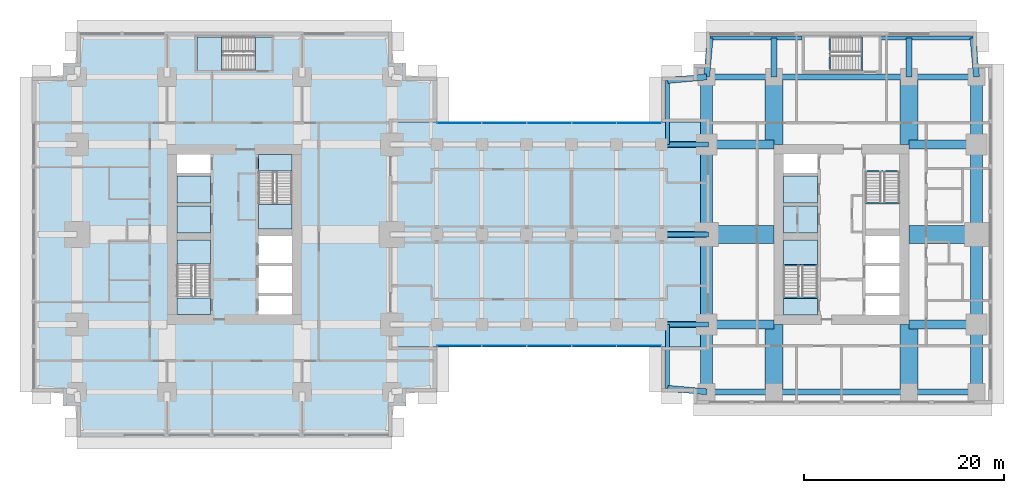
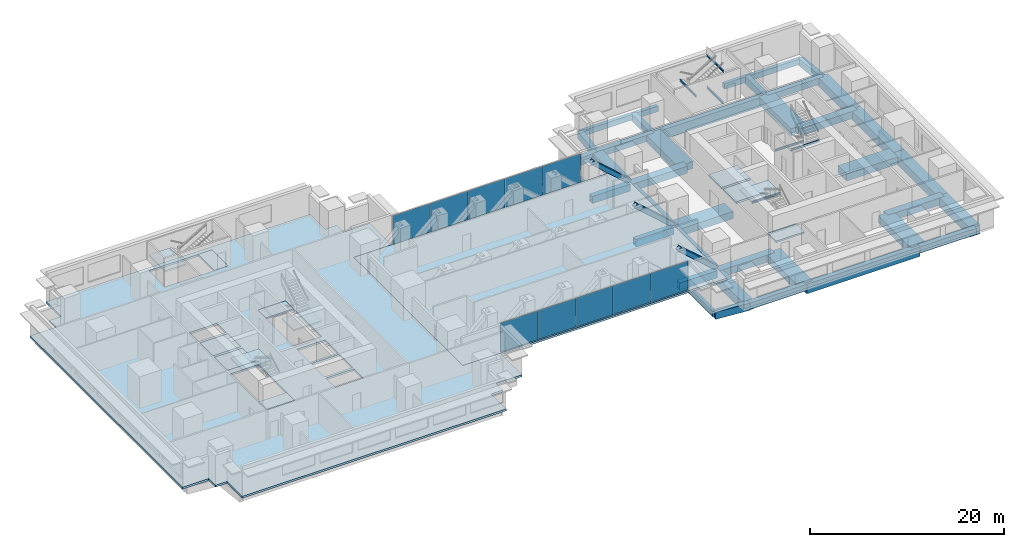
# One storey, part 5 of 16: 44 beams, 14 slabs, 10 plates, 3 members, 6 elements without a shape of their own.
"""IFC4 building model written with IfcOpenShell, lengths in metres."""

from ifc_helpers import new_model, si_unit, direction, frame, origin, origin_2d, place, context, subcontext, project, spatial, polyline, rectangle, hollow_rectangle, i_section, outline, extrude, material, layer, layer_set, material_profile, profile_set, type_object, element, aggregate, save


model = new_model("IFC4")

# Units and contexts
model_context = context("Model", 3, precision=1e-05, world=origin(), true_north=direction((0.0, 1.0)))
body_context = subcontext(model_context, "Body", "Model", "MODEL_VIEW")
ifc_project = project(units=[si_unit("LENGTHUNIT", "METRE"), si_unit("AREAUNIT", "SQUARE_METRE"), si_unit("VOLUMEUNIT", "CUBIC_METRE"), si_unit("PLANEANGLEUNIT", "RADIAN"), si_unit("MASSUNIT", "GRAM", prefix="KILO")], contexts=[model_context])

# Site, building, storey
site_placement = place(None, origin())
site = spatial("IfcSite", under=ifc_project, at=site_placement, CompositionType="ELEMENT")
building_placement = place(site_placement, origin())
building = spatial("IfcBuilding", under=site, at=building_placement, Name="Namib Vertical Campus", CompositionType="ELEMENT")
storey_placement = place(building_placement, frame((0.0, 0.0, 129.0)))
storey = spatial("IfcBuildingStorey", under=building, at=storey_placement, Name="L30", CompositionType="ELEMENT", Elevation=129.0)

# Members
ifc_material_1 = material(Name="Steel S355JR", Category="steel")
ifc_material_profile_1 = material_profile(ifc_material_1, hollow_rectangle(XDim=0.5, YDim=0.5, WallThickness=0.031982421875, at=origin_2d()))
ifc_profile_set_1 = profile_set([ifc_material_profile_1], Name="Steel S355JR")
member_type = type_object("IfcMemberType", Name="Bridge end brace WB 500x500x32", PredefinedType="BRACE", material=ifc_profile_set_1)
for number, where, z_axis, x_axis, name in (
    (1, (67.5, 11.25, 0.0), (-0.747409318684, 0.0, 0.66436383883), (0.0, -1.0, 0.0), "Bridge brace BX1 L30 T1 bay 7"),
    (2, (67.5, 20.25, 0.0), (-0.747409318684, 0.0, 0.66436383883), (0.0, -1.0, 0.0), "Bridge brace BX1 L30 T2 bay 7"),
    (3, (67.5, 29.25, 0.0), (-0.747409318684, 0.0, 0.66436383883), (0.0, -1.0, 0.0), "Bridge brace BX1 L30 T3 bay 7"),
):
    element("IfcMember", number, at=place(storey_placement, frame(where, z_axis=z_axis, x_axis=x_axis)), inside=storey, type_object=member_type, Name=name, PredefinedType="BRACE", context=body_context, shape_type="SweptSolid", body=[
        extrude(hollow_rectangle(XDim=0.5, YDim=0.5, WallThickness=0.031982421875, at=origin_2d()), origin(), (0.0, 0.0, 1.0), 6.020751953125),
    ])

# Beams
ifc_material_2 = material(Name="Steel S355JR", Category="steel")
ifc_material_profile_2 = material_profile(ifc_material_2, hollow_rectangle(XDim=0.60009765625, YDim=0.89990234375, WallThickness=0.050048828125, at=origin_2d()))
ifc_profile_set_2 = profile_set([ifc_material_profile_2], Name="Steel S355JR")
beam_type_1 = type_object("IfcBeamType", Name="Bridge girder WB 900x600x50", PredefinedType="BEAM", material=ifc_profile_set_2)
for number, where, z_axis, x_axis, name in (
    (4, (63.0, 11.25, -0.699951171875), (1.0, 0.0, 0.0), (0.0, 1.0, 0.0), "Bridge girder BG1 L30"),
    (5, (63.0, 20.25, -0.699951171875), (1.0, 0.0, 0.0), (0.0, 1.0, 0.0), "Bridge girder BG1 L30"),
    (6, (63.0, 29.25, -0.699951171875), (1.0, 0.0, 0.0), (0.0, 1.0, 0.0), "Bridge girder BG1 L30"),
):
    element("IfcBeam", number, at=place(storey_placement, frame(where, z_axis=z_axis, x_axis=x_axis)), inside=storey, type_object=beam_type_1, Name=name, PredefinedType="BEAM", context=body_context, shape_type="SweptSolid", body=[
        extrude(hollow_rectangle(XDim=0.60009765625, YDim=0.89990234375, WallThickness=0.050048828125, at=origin_2d()), origin(), (0.0, 0.0, 1.0), 4.5),
    ])
ifc_material_3 = material(Name="Concrete C40/50", Category="concrete")
ifc_material_profile_3 = material_profile(ifc_material_3, rectangle(XDim=0.60009765625, YDim=0.89990234375, at=origin_2d()))
ifc_profile_set_3 = profile_set([ifc_material_profile_3], Name="Concrete C40/50")
beam_type_2 = type_object("IfcBeamType", Name="Cantilever girder RC 600x900", PredefinedType="BEAM", material=ifc_profile_set_3)
beam_1_placement = place(storey_placement, frame((67.5, 36.0, -0.699951171875), z_axis=(0.089411326146, 0.995994786511, 0.0), x_axis=(-0.995994786511, 0.089411326146, 0.0)))
element("IfcBeam", 7, at=beam_1_placement, inside=storey, type_object=beam_type_2, Name="Beam B3 L30", PredefinedType="BEAM", context=body_context, shape_type="SweptSolid", body=[
    extrude(rectangle(XDim=0.60009765625, YDim=0.89990234375, at=origin_2d()), origin(), (0.0, 0.0, 1.0), 3.91552734375),
])
for number, where, z_axis, x_axis, name in (
    (8, (74.25, 36.0, -0.699951171875), (0.0, 1.0, 0.0), (-1.0, 0.0, 0.0), "Beam B3 L30"),
    (9, (87.75, 36.0, -0.699951171875), (0.0, 1.0, 0.0), (-1.0, 0.0, 0.0), "Beam B3 L30"),
):
    element("IfcBeam", number, at=place(storey_placement, frame(where, z_axis=z_axis, x_axis=x_axis)), inside=storey, type_object=beam_type_2, Name=name, PredefinedType="BEAM", context=body_context, shape_type="SweptSolid", body=[
        extrude(rectangle(XDim=0.60009765625, YDim=0.89990234375, at=origin_2d()), origin(), (0.0, 0.0, 1.0), 3.89990234375),
    ])
for number, where, z_axis, x_axis, name in (
    (10, (94.5, 36.0, -0.699951171875), (-0.089411326146, 0.995994786511, 0.0), (-0.995994786511, -0.089411326146, 0.0), "Beam B3 L30"),
    (11, (67.5, 4.5, -0.699951171875), (-0.995994786511, 0.089411326146, 0.0), (-0.089411326146, -0.995994786511, 0.0), "Beam B3 L30"),
    (12, (67.5, 36.0, -0.699951171875), (-0.995994786511, -0.089411326146, 0.0), (0.089411326146, -0.995994786511, 0.0), "Beam B3 L30"),
):
    element("IfcBeam", number, at=place(storey_placement, frame(where, z_axis=z_axis, x_axis=x_axis)), inside=storey, type_object=beam_type_2, Name=name, PredefinedType="BEAM", context=body_context, shape_type="SweptSolid", body=[
        extrude(rectangle(XDim=0.60009765625, YDim=0.89990234375, at=origin_2d()), origin(), (0.0, 0.0, 1.0), 3.91552734375),
    ])
ifc_material_4 = material(Name="Concrete C40/50", Category="concrete")
ifc_material_profile_4 = material_profile(ifc_material_4, rectangle(XDim=0.39990234375, YDim=0.699951171875, at=origin_2d()))
ifc_profile_set_4 = profile_set([ifc_material_profile_4], Name="Concrete C40/50")
beam_type_3 = type_object("IfcBeamType", Name="Edge beam RC 400x700", PredefinedType="SPANDREL", material=ifc_profile_set_4)
for number, where, z_axis, x_axis, name in (
    (13, (67.85009765625, 39.89990234375, -0.60009765625), (1.0, 0.0, 0.0), (0.0, 1.0, 0.0), "Beam B4 L30"),
    (14, (84.949951171875, 39.89990234375, -0.60009765625), (1.0, 0.0, 0.0), (0.0, 1.0, 0.0), "Beam B4 L30"),
):
    element("IfcBeam", number, at=place(storey_placement, frame(where, z_axis=z_axis, x_axis=x_axis)), inside=storey, type_object=beam_type_3, Name=name, PredefinedType="SPANDREL", context=body_context, shape_type="SweptSolid", body=[
        extrude(rectangle(XDim=0.39990234375, YDim=0.699951171875, at=origin_2d()), origin(), (0.0, 0.0, 1.0), 9.199951171875),
    ])
for number, where, z_axis, x_axis, name in (
    (15, (63.60009765625, 4.85009765625, -0.60009765625), (0.0, 1.0, 0.0), (-1.0, 0.0, 0.0), "Beam B4 L30"),
    (16, (63.60009765625, 29.25, -0.60009765625), (0.0, 1.0, 0.0), (-1.0, 0.0, 0.0), "Beam B4 L30"),
):
    element("IfcBeam", number, at=place(storey_placement, frame(where, z_axis=z_axis, x_axis=x_axis)), inside=storey, type_object=beam_type_3, Name=name, PredefinedType="SPANDREL", context=body_context, shape_type="SweptSolid", body=[
        extrude(rectangle(XDim=0.39990234375, YDim=0.699951171875, at=origin_2d()), origin(), (0.0, 0.0, 1.0), 6.39990234375),
    ])
ifc_material_5 = material(Name="Concrete C40/50", Category="concrete")
ifc_material_profile_5 = material_profile(ifc_material_5, rectangle(XDim=0.89990234375, YDim=0.89990234375, at=origin_2d()))
ifc_profile_set_5 = profile_set([ifc_material_profile_5], Name="Concrete C40/50")
beam_type_4 = type_object("IfcBeamType", Name="Face girder RC 900x900", PredefinedType="BEAM", material=ifc_profile_set_5)
for number, where, z_axis, x_axis, name in (
    (17, (67.5, 11.25, -0.699951171875), (1.0, 0.0, 0.0), (0.0, 1.0, 0.0), "Beam B10 L30"),
    (18, (94.5, 11.25, -0.699951171875), (-1.0, 0.0, 0.0), (0.0, -1.0, 0.0), "Beam B10 L30"),
    (19, (67.5, 29.25, -0.699951171875), (1.0, 0.0, 0.0), (0.0, 1.0, 0.0), "Beam B10 L30"),
    (20, (94.5, 29.25, -0.699951171875), (-1.0, 0.0, 0.0), (0.0, -1.0, 0.0), "Beam B10 L30"),
):
    element("IfcBeam", number, at=place(storey_placement, frame(where, z_axis=z_axis, x_axis=x_axis)), inside=storey, type_object=beam_type_4, Name=name, PredefinedType="BEAM", context=body_context, shape_type="SweptSolid", body=[
        extrude(rectangle(XDim=0.89990234375, YDim=0.89990234375, at=origin_2d()), origin(), (0.0, 0.0, 1.0), 6.75),
    ])
ifc_material_6 = material(Name="Concrete C40/50", Category="concrete")
ifc_material_profile_6 = material_profile(ifc_material_6, rectangle(XDim=1.199951171875, YDim=1.10009765625, at=origin_2d()))
ifc_profile_set_6 = profile_set([ifc_material_profile_6], Name="Concrete C40/50")
beam_type_5 = type_object("IfcBeamType", Name="Face ring beam RC 1200x1100", PredefinedType="BEAM", material=ifc_profile_set_6)
beam_2_placement = place(storey_placement, frame((67.5, 4.5, -0.800048828125), z_axis=(0.0, 1.0, 0.0), x_axis=(-1.0, 0.0, 0.0)))
element("IfcBeam", 21, at=beam_2_placement, inside=storey, type_object=beam_type_5, Name="Beam B11 L30", PredefinedType="BEAM", context=body_context, shape_type="SweptSolid", body=[
    extrude(rectangle(XDim=1.199951171875, YDim=1.10009765625, at=origin_2d()), origin(), (0.0, 0.0, 1.0), 6.75),
])
for number, where, z_axis, x_axis, name in (
    (22, (67.5, 11.25, -0.800048828125), (0.0, 1.0, 0.0), (-1.0, 0.0, 0.0), "Beam B11 L30"),
    (23, (67.5, 20.25, -0.800048828125), (0.0, 1.0, 0.0), (-1.0, 0.0, 0.0), "Beam B11 L30"),
):
    element("IfcBeam", number, at=place(storey_placement, frame(where, z_axis=z_axis, x_axis=x_axis)), inside=storey, type_object=beam_type_5, Name=name, PredefinedType="BEAM", context=body_context, shape_type="SweptSolid", body=[
        extrude(rectangle(XDim=1.199951171875, YDim=1.10009765625, at=origin_2d()), origin(), (0.0, 0.0, 1.0), 9.0),
    ])
for number, where, z_axis, x_axis, name in (
    (24, (67.5, 29.25, -0.800048828125), (0.0, 1.0, 0.0), (-1.0, 0.0, 0.0), "Beam B11 L30"),
    (25, (94.5, 4.5, -0.800048828125), (0.0, 1.0, 0.0), (-1.0, 0.0, 0.0), "Beam B11 L30"),
):
    element("IfcBeam", number, at=place(storey_placement, frame(where, z_axis=z_axis, x_axis=x_axis)), inside=storey, type_object=beam_type_5, Name=name, PredefinedType="BEAM", context=body_context, shape_type="SweptSolid", body=[
        extrude(rectangle(XDim=1.199951171875, YDim=1.10009765625, at=origin_2d()), origin(), (0.0, 0.0, 1.0), 6.75),
    ])
for number, where, z_axis, x_axis, name in (
    (26, (94.5, 11.25, -0.800048828125), (0.0, 1.0, 0.0), (-1.0, 0.0, 0.0), "Beam B11 L30"),
    (27, (94.5, 20.25, -0.800048828125), (0.0, 1.0, 0.0), (-1.0, 0.0, 0.0), "Beam B11 L30"),
):
    element("IfcBeam", number, at=place(storey_placement, frame(where, z_axis=z_axis, x_axis=x_axis)), inside=storey, type_object=beam_type_5, Name=name, PredefinedType="BEAM", context=body_context, shape_type="SweptSolid", body=[
        extrude(rectangle(XDim=1.199951171875, YDim=1.10009765625, at=origin_2d()), origin(), (0.0, 0.0, 1.0), 9.0),
    ])
beam_3_placement = place(storey_placement, frame((94.5, 29.25, -0.800048828125), z_axis=(0.0, 1.0, 0.0), x_axis=(-1.0, 0.0, 0.0)))
element("IfcBeam", 28, at=beam_3_placement, inside=storey, type_object=beam_type_5, Name="Beam B11 L30", PredefinedType="BEAM", context=body_context, shape_type="SweptSolid", body=[
    extrude(rectangle(XDim=1.199951171875, YDim=1.10009765625, at=origin_2d()), origin(), (0.0, 0.0, 1.0), 6.75),
])
ifc_material_7 = material(Name="Steel S355JR", Category="steel")
ifc_material_profile_7 = material_profile(ifc_material_7, i_section(OverallWidth=0.14599609375, OverallDepth=0.25146484375, WebThickness=0.006103515625, FlangeThickness=0.008544921875, FilletRadius=0.007568359375, at=origin_2d()))
ifc_profile_set_7 = profile_set([ifc_material_profile_7], Name="Steel S355JR")
beam_type_6 = type_object("IfcBeamType", Name="Landing trimmer UB 254x146x31", PredefinedType="BEAM", material=ifc_profile_set_7)
for number, where, z_axis, x_axis, name in (
    (29, (75.199951171875, 13.927001953125, -0.125732421875), (1.0, 0.0, 0.0), (0.0, 1.0, 0.0), "Landing trimmer LT1 B-S1 L30 1"),
    (30, (75.199951171875, 17.153076171875, 1.874267578125), (1.0, 0.0, 0.0), (0.0, 1.0, 0.0), "Landing trimmer LT1 B-S1 L30 2"),
    (31, (83.39990234375, 26.572998046875, -0.125732421875), (1.0, 0.0, 0.0), (0.0, 1.0, 0.0), "Landing trimmer LT1 B-S2 L30 1"),
    (32, (83.39990234375, 23.346923828125, 1.874267578125), (1.0, 0.0, 0.0), (0.0, 1.0, 0.0), "Landing trimmer LT1 B-S2 L30 2"),
):
    element("IfcBeam", number, at=place(storey_placement, frame(where, z_axis=z_axis, x_axis=x_axis)), inside=storey, type_object=beam_type_6, Name=name, PredefinedType="BEAM", context=body_context, shape_type="SweptSolid", body=[
        extrude(i_section(OverallWidth=0.14599609375, OverallDepth=0.25146484375, WebThickness=0.006103515625, FlangeThickness=0.008544921875, FilletRadius=0.007568359375, at=origin_2d()), origin(), (0.0, 0.0, 1.0), 3.400146484375),
    ])
for number, where, z_axis, x_axis, name in (
    (33, (83.02294921875, 36.60009765625, -0.125732421875), (0.0, 1.0, 0.0), (-1.0, 0.0, 0.0), "Landing trimmer LT1 B-S3 L30 1"),
    (34, (79.796875, 36.60009765625, 1.874267578125), (0.0, 1.0, 0.0), (-1.0, 0.0, 0.0), "Landing trimmer LT1 B-S3 L30 2"),
    (35, (83.02294921875, 36.60009765625, 3.874267578125), (0.0, 1.0, 0.0), (-1.0, 0.0, 0.0), "Landing trimmer LT1 B-S3 L30 3"),
):
    element("IfcBeam", number, at=place(storey_placement, frame(where, z_axis=z_axis, x_axis=x_axis)), inside=storey, type_object=beam_type_6, Name=name, PredefinedType="BEAM", context=body_context, shape_type="SweptSolid", body=[
        extrude(i_section(OverallWidth=0.14599609375, OverallDepth=0.25146484375, WebThickness=0.006103515625, FlangeThickness=0.008544921875, FilletRadius=0.007568359375, at=origin_2d()), origin(), (0.0, 0.0, 1.0), 3.39990234375),
    ])
ifc_material_8 = material(Name="Concrete C40/50", Category="concrete")
ifc_material_profile_8 = material_profile(ifc_material_8, rectangle(XDim=0.60009765625, YDim=1.199951171875, at=origin_2d()))
ifc_profile_set_8 = profile_set([ifc_material_profile_8], Name="Concrete C40/50")
beam_type_7 = type_object("IfcBeamType", Name="Long-span ring beam RC 600x1200", PredefinedType="BEAM", material=ifc_profile_set_8)
for number, where, z_axis, x_axis, name in (
    (36, (74.25, 4.5, -0.85009765625), (1.0, 0.0, 0.0), (0.0, 1.0, 0.0), "Beam B9 L30"),
    (37, (74.25, 36.0, -0.85009765625), (1.0, 0.0, 0.0), (0.0, 1.0, 0.0), "Beam B9 L30"),
):
    element("IfcBeam", number, at=place(storey_placement, frame(where, z_axis=z_axis, x_axis=x_axis)), inside=storey, type_object=beam_type_7, Name=name, PredefinedType="BEAM", context=body_context, shape_type="SweptSolid", body=[
        extrude(rectangle(XDim=0.60009765625, YDim=1.199951171875, at=origin_2d()), origin(), (0.0, 0.0, 1.0), 13.5),
    ])
ifc_material_9 = material(Name="Concrete C40/50", Category="concrete")
ifc_material_profile_9 = material_profile(ifc_material_9, rectangle(XDim=1.800048828125, YDim=0.89990234375, at=origin_2d()))
ifc_profile_set_9 = profile_set([ifc_material_profile_9], Name="Concrete C40/50")
beam_type_8 = type_object("IfcBeamType", Name="Outrigger line girder RC 1800x900", PredefinedType="BEAM", material=ifc_profile_set_9)
for number, where, z_axis, x_axis, name in (
    (38, (74.25, 4.5, -0.699951171875), (0.0, 1.0, 0.0), (-1.0, 0.0, 0.0), "Beam B12 L30"),
    (39, (74.25, 36.0, -0.699951171875), (0.0, -1.0, 0.0), (1.0, 0.0, 0.0), "Beam B12 L30"),
    (40, (87.75, 4.5, -0.699951171875), (0.0, 1.0, 0.0), (-1.0, 0.0, 0.0), "Beam B12 L30"),
    (41, (87.75, 36.0, -0.699951171875), (0.0, -1.0, 0.0), (1.0, 0.0, 0.0), "Beam B12 L30"),
    (42, (67.5, 20.25, -0.699951171875), (1.0, 0.0, 0.0), (0.0, 1.0, 0.0), "Beam B12 L30"),
    (43, (94.5, 20.25, -0.699951171875), (-1.0, 0.0, 0.0), (0.0, -1.0, 0.0), "Beam B12 L30"),
):
    element("IfcBeam", number, at=place(storey_placement, frame(where, z_axis=z_axis, x_axis=x_axis)), inside=storey, type_object=beam_type_8, Name=name, PredefinedType="BEAM", context=body_context, shape_type="SweptSolid", body=[
        extrude(rectangle(XDim=1.800048828125, YDim=0.89990234375, at=origin_2d()), origin(), (0.0, 0.0, 1.0), 6.75),
    ])
ifc_material_10 = material(Name="Concrete C40/50", Category="concrete")
ifc_material_profile_10 = material_profile(ifc_material_10, rectangle(XDim=0.60009765625, YDim=0.800048828125, at=origin_2d()))
ifc_profile_set_10 = profile_set([ifc_material_profile_10], Name="Concrete C40/50")
beam_type_9 = type_object("IfcBeamType", Name="Ring beam RC 600x800", PredefinedType="BEAM", material=ifc_profile_set_10)
for number, where, z_axis, x_axis, name in (
    (44, (67.5, 4.5, -0.64990234375), (1.0, 0.0, 0.0), (0.0, 1.0, 0.0), "Beam B1 L30"),
    (45, (87.75, 4.5, -0.64990234375), (1.0, 0.0, 0.0), (0.0, 1.0, 0.0), "Beam B1 L30"),
    (46, (67.5, 36.0, -0.64990234375), (1.0, 0.0, 0.0), (0.0, 1.0, 0.0), "Beam B1 L30"),
    (47, (87.75, 36.0, -0.64990234375), (1.0, 0.0, 0.0), (0.0, 1.0, 0.0), "Beam B1 L30"),
):
    element("IfcBeam", number, at=place(storey_placement, frame(where, z_axis=z_axis, x_axis=x_axis)), inside=storey, type_object=beam_type_9, Name=name, PredefinedType="BEAM", context=body_context, shape_type="SweptSolid", body=[
        extrude(rectangle(XDim=0.60009765625, YDim=0.800048828125, at=origin_2d()), origin(), (0.0, 0.0, 1.0), 6.75),
    ])

# Curtain wall, plates
ifc_material_11 = material(Name="Black aluminium curtain wall", Category="aluminium")
ifc_layer_1 = layer(ifc_material_11, 0.199951171875)
ifc_layer_set_1 = layer_set([ifc_layer_1], Name="Bridge curtain wall CW-BR")
curtain_wall_type = type_object("IfcCurtainWallType", Name="Bridge curtain wall CW-BR", PredefinedType="USERDEFINED", material=ifc_layer_set_1)
curtain_wall_1_placement = place(storey_placement, origin())
curtain_wall_1 = element("IfcCurtainWall", 48, at=curtain_wall_1_placement, inside=storey, type_object=curtain_wall_type, Name="Curtain wall CW-BR L30 S", ObjectType="CURTAIN WALL", PredefinedType="USERDEFINED")
ifc_material_12 = material(Name="Dark tinted glass", Category="glass")
ifc_layer_2 = layer(ifc_material_12, 0.028076171875)
ifc_layer_set_2 = layer_set([ifc_layer_2], Name="Dark solar glass panel 28")
plate_type = type_object("IfcPlateType", Name="Dark solar glass panel 28", PredefinedType="CURTAIN_PANEL", material=ifc_layer_set_2)
plate_1_placement = place(storey_placement, frame((42.764892578125, 9.10009765625, 0.06005859375), z_axis=(0.0, 0.0, 1.0), x_axis=(1.0, 0.0, 0.0)))
plate_1 = element("IfcPlate", 49, at=plate_1_placement, type_object=plate_type, Name="CW-BR panel 1.1", PredefinedType="CURTAIN_PANEL", context=body_context, shape_type="SweptSolid", body=[
    extrude(rectangle(XDim=4.409912109375, YDim=0.028076171875, at=origin_2d()), origin(), (0.0, 0.0, 1.0), 3.6298828125),
])
plate_2_placement = place(storey_placement, frame((47.25, 9.10009765625, 0.06005859375), z_axis=(0.0, 0.0, 1.0), x_axis=(1.0, 0.0, 0.0)))
plate_2 = element("IfcPlate", 50, at=plate_2_placement, type_object=plate_type, Name="CW-BR panel 2.1", PredefinedType="CURTAIN_PANEL", context=body_context, shape_type="SweptSolid", body=[
    extrude(rectangle(XDim=4.43994140625, YDim=0.028076171875, at=origin_2d()), origin(), (0.0, 0.0, 1.0), 3.6298828125),
])
plate_3_placement = place(storey_placement, frame((51.75, 9.10009765625, 0.06005859375), z_axis=(0.0, 0.0, 1.0), x_axis=(1.0, 0.0, 0.0)))
plate_3 = element("IfcPlate", 51, at=plate_3_placement, type_object=plate_type, Name="CW-BR panel 3.1", PredefinedType="CURTAIN_PANEL", context=body_context, shape_type="SweptSolid", body=[
    extrude(rectangle(XDim=4.43994140625, YDim=0.028076171875, at=origin_2d()), origin(), (0.0, 0.0, 1.0), 3.6298828125),
])
plate_4_placement = place(storey_placement, frame((56.25, 9.10009765625, 0.06005859375), z_axis=(0.0, 0.0, 1.0), x_axis=(1.0, 0.0, 0.0)))
plate_4 = element("IfcPlate", 52, at=plate_4_placement, type_object=plate_type, Name="CW-BR panel 4.1", PredefinedType="CURTAIN_PANEL", context=body_context, shape_type="SweptSolid", body=[
    extrude(rectangle(XDim=4.43994140625, YDim=0.028076171875, at=origin_2d()), origin(), (0.0, 0.0, 1.0), 3.6298828125),
])
plate_5_placement = place(storey_placement, frame((60.735107421875, 9.10009765625, 0.06005859375), z_axis=(0.0, 0.0, 1.0), x_axis=(1.0, 0.0, 0.0)))
plate_5 = element("IfcPlate", 53, at=plate_5_placement, type_object=plate_type, Name="CW-BR panel 5.1", PredefinedType="CURTAIN_PANEL", context=body_context, shape_type="SweptSolid", body=[
    extrude(rectangle(XDim=4.409912109375, YDim=0.028076171875, at=origin_2d()), origin(), (0.0, 0.0, 1.0), 3.6298828125),
])
aggregate(curtain_wall_1, [plate_1, plate_2, plate_3, plate_4, plate_5])

curtain_wall_2_placement = place(storey_placement, origin())
curtain_wall_2 = element("IfcCurtainWall", 54, at=curtain_wall_2_placement, inside=storey, type_object=curtain_wall_type, Name="Curtain wall CW-BR L30 N", ObjectType="CURTAIN WALL", PredefinedType="USERDEFINED")
plate_6_placement = place(storey_placement, frame((60.735107421875, 31.39990234375, 0.06005859375), z_axis=(0.0, 0.0, 1.0), x_axis=(-1.0, 0.0, 0.0)))
plate_6 = element("IfcPlate", 55, at=plate_6_placement, type_object=plate_type, Name="CW-BR panel 1.1", PredefinedType="CURTAIN_PANEL", context=body_context, shape_type="SweptSolid", body=[
    extrude(rectangle(XDim=4.409912109375, YDim=0.028076171875, at=origin_2d()), origin(), (0.0, 0.0, 1.0), 3.6298828125),
])
plate_7_placement = place(storey_placement, frame((56.25, 31.39990234375, 0.06005859375), z_axis=(0.0, 0.0, 1.0), x_axis=(-1.0, 0.0, 0.0)))
plate_7 = element("IfcPlate", 56, at=plate_7_placement, type_object=plate_type, Name="CW-BR panel 2.1", PredefinedType="CURTAIN_PANEL", context=body_context, shape_type="SweptSolid", body=[
    extrude(rectangle(XDim=4.43994140625, YDim=0.028076171875, at=origin_2d()), origin(), (0.0, 0.0, 1.0), 3.6298828125),
])
plate_8_placement = place(storey_placement, frame((51.75, 31.39990234375, 0.06005859375), z_axis=(0.0, 0.0, 1.0), x_axis=(-1.0, 0.0, 0.0)))
plate_8 = element("IfcPlate", 57, at=plate_8_placement, type_object=plate_type, Name="CW-BR panel 3.1", PredefinedType="CURTAIN_PANEL", context=body_context, shape_type="SweptSolid", body=[
    extrude(rectangle(XDim=4.43994140625, YDim=0.028076171875, at=origin_2d()), origin(), (0.0, 0.0, 1.0), 3.6298828125),
])
plate_9_placement = place(storey_placement, frame((47.25, 31.39990234375, 0.06005859375), z_axis=(0.0, 0.0, 1.0), x_axis=(-1.0, 0.0, 0.0)))
plate_9 = element("IfcPlate", 58, at=plate_9_placement, type_object=plate_type, Name="CW-BR panel 4.1", PredefinedType="CURTAIN_PANEL", context=body_context, shape_type="SweptSolid", body=[
    extrude(rectangle(XDim=4.43994140625, YDim=0.028076171875, at=origin_2d()), origin(), (0.0, 0.0, 1.0), 3.6298828125),
])
plate_10_placement = place(storey_placement, frame((42.764892578125, 31.39990234375, 0.06005859375), z_axis=(0.0, 0.0, 1.0), x_axis=(-1.0, 0.0, 0.0)))
plate_10 = element("IfcPlate", 59, at=plate_10_placement, type_object=plate_type, Name="CW-BR panel 5.1", PredefinedType="CURTAIN_PANEL", context=body_context, shape_type="SweptSolid", body=[
    extrude(rectangle(XDim=4.409912109375, YDim=0.028076171875, at=origin_2d()), origin(), (0.0, 0.0, 1.0), 3.6298828125),
])
aggregate(curtain_wall_2, [plate_6, plate_7, plate_8, plate_9, plate_10])

# Slabs
ifc_material_13 = material(Name="Concrete C40/50", Category="concrete")
ifc_layer_3 = layer(ifc_material_13, 0.25)
ifc_layer_set_3 = layer_set([ifc_layer_3], Name="Concrete C40/50")
slab_type_1 = type_object("IfcSlabType", Name="Floor slab 250", PredefinedType="FLOOR", material=ifc_layer_set_3)
slab_1_placement = place(storey_placement, frame((0.0, 0.0, -0.25)))
element("IfcSlab", 60, at=slab_1_placement, inside=storey, type_object=slab_type_1, Name="Floor slab A L30", PredefinedType="FLOOR", context=body_context, shape_type="SweptSolid", body=[
    extrude(outline(polyline([(4.5, 3.10009765625), (4.5, 0.0), (36.0, 0.0), (36.0, 3.10009765625), (37.39990234375, 3.10009765625), (37.39990234375, 4.5), (40.5, 4.5), (40.5, 9.0), (36.0, 9.0), (36.0, 31.5), (40.5, 31.5), (40.5, 36.0), (37.39990234375, 36.0), (37.39990234375, 37.39990234375), (36.0, 37.39990234375), (36.0, 40.5), (4.5, 40.5), (4.5, 37.39990234375), (3.10009765625, 37.39990234375), (3.10009765625, 36.0), (0.0, 36.0), (0.0, 4.5), (3.10009765625, 4.5), (3.10009765625, 3.10009765625), (4.5, 3.10009765625)]), holes=[polyline([(14.5, 12.25), (17.85009765625, 12.25), (17.85009765625, 19.699951171875), (14.5, 19.699951171875), (14.5, 12.25)]), polyline([(22.64990234375, 20.800048828125), (26.0, 20.800048828125), (26.0, 28.25), (22.64990234375, 28.25), (22.64990234375, 20.800048828125)]), polyline([(22.64990234375, 12.25), (26.0, 12.25), (26.0, 14.10009765625), (22.64990234375, 14.10009765625), (22.64990234375, 12.25)]), polyline([(14.5, 20.39990234375), (17.85009765625, 20.39990234375), (17.85009765625, 23.10009765625), (14.5, 23.10009765625), (14.5, 20.39990234375)]), polyline([(14.5, 23.39990234375), (17.85009765625, 23.39990234375), (17.85009765625, 26.10009765625), (14.5, 26.10009765625), (14.5, 23.39990234375)]), polyline([(14.5, 26.39990234375), (17.85009765625, 26.39990234375), (17.85009765625, 28.25), (14.5, 28.25), (14.5, 26.39990234375)]), polyline([(22.64990234375, 14.39990234375), (26.0, 14.39990234375), (26.0, 17.10009765625), (22.64990234375, 17.10009765625), (22.64990234375, 14.39990234375)]), polyline([(22.64990234375, 17.39990234375), (26.0, 17.39990234375), (26.0, 20.10009765625), (22.64990234375, 20.10009765625), (22.64990234375, 17.39990234375)]), polyline([(16.5, 36.64990234375), (24.0, 36.64990234375), (24.0, 40.0), (16.5, 40.0), (16.5, 36.64990234375)])]), origin(), (0.0, 0.0, 1.0), 0.25),
])
slab_2_placement = place(storey_placement, frame((0.0, 0.0, -0.25)))
element("IfcSlab", 61, at=slab_2_placement, inside=storey, type_object=slab_type_1, Name="Bridge floor L30", PredefinedType="FLOOR", context=body_context, shape_type="SweptSolid", body=[
    extrude(outline(polyline([(36.0, 9.0), (67.5, 9.0), (67.5, 31.5), (36.0, 31.5), (36.0, 9.0)])), origin(), (0.0, 0.0, 1.0), 0.25),
])
ifc_material_14 = material(Name="Concrete C40/50 precast", Category="concrete")
ifc_layer_4 = layer(ifc_material_14, 0.25)
ifc_layer_set_4 = layer_set([ifc_layer_4], Name="Concrete C40/50 precast")
slab_type_2 = type_object("IfcSlabType", Name="Shaft infill floor 250", PredefinedType="FLOOR", material=ifc_layer_set_4)
slab_3_placement = place(storey_placement, frame((0.0, 0.0, -0.25)))
element("IfcSlab", 62, at=slab_3_placement, inside=storey, type_object=slab_type_2, Name="Shaft infill floor A L30 P1", PredefinedType="FLOOR", context=body_context, shape_type="SweptSolid", body=[
    extrude(outline(polyline([(14.5, 20.39990234375), (17.85009765625, 20.39990234375), (17.85009765625, 23.10009765625), (14.5, 23.10009765625), (14.5, 20.39990234375)])), origin(), (0.0, 0.0, 1.0), 0.25),
])
slab_4_placement = place(storey_placement, frame((0.0, 0.0, -0.25)))
element("IfcSlab", 63, at=slab_4_placement, inside=storey, type_object=slab_type_2, Name="Shaft infill floor A L30 P2", PredefinedType="FLOOR", context=body_context, shape_type="SweptSolid", body=[
    extrude(outline(polyline([(14.5, 23.39990234375), (17.85009765625, 23.39990234375), (17.85009765625, 26.10009765625), (14.5, 26.10009765625), (14.5, 23.39990234375)])), origin(), (0.0, 0.0, 1.0), 0.25),
])
slab_5_placement = place(storey_placement, frame((0.0, 0.0, -0.25)))
element("IfcSlab", 64, at=slab_5_placement, inside=storey, type_object=slab_type_2, Name="Shaft infill floor B L30 P1", PredefinedType="FLOOR", context=body_context, shape_type="SweptSolid", body=[
    extrude(outline(polyline([(75.199951171875, 20.39990234375), (78.60009765625, 20.39990234375), (78.60009765625, 23.10009765625), (75.199951171875, 23.10009765625), (75.199951171875, 20.39990234375)])), origin(), (0.0, 0.0, 1.0), 0.25),
])
slab_6_placement = place(storey_placement, frame((0.0, 0.0, -0.25)))
element("IfcSlab", 65, at=slab_6_placement, inside=storey, type_object=slab_type_2, Name="Shaft infill floor B L30 P2", PredefinedType="FLOOR", context=body_context, shape_type="SweptSolid", body=[
    extrude(outline(polyline([(75.199951171875, 23.39990234375), (78.60009765625, 23.39990234375), (78.60009765625, 26.10009765625), (75.199951171875, 26.10009765625), (75.199951171875, 23.39990234375)])), origin(), (0.0, 0.0, 1.0), 0.25),
])

# Stair, slabs
ifc_material_15 = material(Name="Concrete C40/50 precast", Category="concrete")
stair_type_1 = type_object("IfcStairType", Name="Exit stair 4000 rise 24 risers 3350 wide", PredefinedType="HALF_TURN_STAIR", material=ifc_material_15)
stair_1_placement = place(storey_placement, origin())
stair_1 = element("IfcStair", 66, at=stair_1_placement, inside=storey, type_object=stair_type_1, Name="Exit stair A-S1 L30", PredefinedType="HALF_TURN_STAIR")
ifc_material_16 = material(Name="Concrete C40/50", Category="concrete")
ifc_layer_5 = layer(ifc_material_16, 0.199951171875)
ifc_layer_set_5 = layer_set([ifc_layer_5], Name="Concrete C40/50")
slab_type_3 = type_object("IfcSlabType", Name="Stair landing 200", PredefinedType="LANDING", material=ifc_layer_set_5)
slab_7_placement = place(storey_placement, frame((0.0, 0.0, -0.199951171875)))
slab_7 = element("IfcSlab", 67, at=slab_7_placement, type_object=slab_type_3, Name="A-S1 landing 1", PredefinedType="LANDING", context=body_context, shape_type="SweptSolid", body=[
    extrude(outline(polyline([(14.5, 12.25), (17.85009765625, 12.25), (17.85009765625, 13.90380859375), (14.5, 13.90380859375), (14.5, 12.25)])), origin(), (0.0, 0.0, 1.0), 0.199951171875),
])
slab_8_placement = place(storey_placement, frame((0.0, 0.0, 1.800048828125)))
slab_8 = element("IfcSlab", 68, at=slab_8_placement, type_object=slab_type_3, Name="A-S1 landing 2", PredefinedType="LANDING", context=body_context, shape_type="SweptSolid", body=[
    extrude(outline(polyline([(14.5, 17.276123046875), (17.85009765625, 17.276123046875), (17.85009765625, 19.699951171875), (14.5, 19.699951171875), (14.5, 17.276123046875)])), origin(), (0.0, 0.0, 1.0), 0.199951171875),
])
aggregate(stair_1, [slab_7, slab_8])

stair_2_placement = place(storey_placement, origin())
stair_2 = element("IfcStair", 69, at=stair_2_placement, inside=storey, type_object=stair_type_1, Name="Exit stair A-S2 L30", PredefinedType="HALF_TURN_STAIR")
slab_9_placement = place(storey_placement, frame((0.0, 0.0, -0.199951171875)))
slab_9 = element("IfcSlab", 70, at=slab_9_placement, type_object=slab_type_3, Name="A-S2 landing 1", PredefinedType="LANDING", context=body_context, shape_type="SweptSolid", body=[
    extrude(outline(polyline([(22.64990234375, 26.59619140625), (26.0, 26.59619140625), (26.0, 28.25), (22.64990234375, 28.25), (22.64990234375, 26.59619140625)])), origin(), (0.0, 0.0, 1.0), 0.199951171875),
])
slab_10_placement = place(storey_placement, frame((0.0, 0.0, 1.800048828125)))
slab_10 = element("IfcSlab", 71, at=slab_10_placement, type_object=slab_type_3, Name="A-S2 landing 2", PredefinedType="LANDING", context=body_context, shape_type="SweptSolid", body=[
    extrude(outline(polyline([(22.64990234375, 20.800048828125), (26.0, 20.800048828125), (26.0, 23.223876953125), (22.64990234375, 23.223876953125), (22.64990234375, 20.800048828125)])), origin(), (0.0, 0.0, 1.0), 0.199951171875),
])
aggregate(stair_2, [slab_9, slab_10])

ifc_material_17 = material(Name="Concrete C40/50 precast", Category="concrete")
stair_type_2 = type_object("IfcStairType", Name="Exit stair 4000 rise 24 risers 3400 wide", PredefinedType="HALF_TURN_STAIR", material=ifc_material_17)
stair_3_placement = place(storey_placement, origin())
stair_3 = element("IfcStair", 72, at=stair_3_placement, inside=storey, type_object=stair_type_2, Name="Exit stair B-S1 L30", PredefinedType="HALF_TURN_STAIR")
slab_11_placement = place(storey_placement, frame((0.0, 0.0, -0.199951171875)))
slab_11 = element("IfcSlab", 73, at=slab_11_placement, type_object=slab_type_3, Name="B-S1 landing 1", PredefinedType="LANDING", context=body_context, shape_type="SweptSolid", body=[
    extrude(outline(polyline([(75.199951171875, 12.199951171875), (78.60009765625, 12.199951171875), (78.60009765625, 13.85400390625), (75.199951171875, 13.85400390625), (75.199951171875, 12.199951171875)])), origin(), (0.0, 0.0, 1.0), 0.199951171875),
])
slab_12_placement = place(storey_placement, frame((0.0, 0.0, 1.800048828125)))
slab_12 = element("IfcSlab", 74, at=slab_12_placement, type_object=slab_type_3, Name="B-S1 landing 2", PredefinedType="LANDING", context=body_context, shape_type="SweptSolid", body=[
    extrude(outline(polyline([(75.199951171875, 17.22607421875), (78.60009765625, 17.22607421875), (78.60009765625, 19.699951171875), (75.199951171875, 19.699951171875), (75.199951171875, 17.22607421875)])), origin(), (0.0, 0.0, 1.0), 0.199951171875),
])
aggregate(stair_3, [slab_11, slab_12])

stair_4_placement = place(storey_placement, origin())
stair_4 = element("IfcStair", 75, at=stair_4_placement, inside=storey, type_object=stair_type_1, Name="Exit stair A-S3 L30", PredefinedType="HALF_TURN_STAIR")
slab_13_placement = place(storey_placement, frame((0.0, 0.0, -0.199951171875)))
slab_13 = element("IfcSlab", 76, at=slab_13_placement, type_object=slab_type_3, Name="A-S3 landing 1", PredefinedType="LANDING", context=body_context, shape_type="SweptSolid", body=[
    extrude(outline(polyline([(22.34619140625, 36.64990234375), (22.34619140625, 40.0), (24.0, 40.0), (24.0, 36.64990234375), (22.34619140625, 36.64990234375)])), origin(), (0.0, 0.0, 1.0), 0.199951171875),
])
slab_14_placement = place(storey_placement, frame((0.0, 0.0, 1.800048828125)))
slab_14 = element("IfcSlab", 77, at=slab_14_placement, type_object=slab_type_3, Name="A-S3 landing 2", PredefinedType="LANDING", context=body_context, shape_type="SweptSolid", body=[
    extrude(outline(polyline([(16.5, 36.64990234375), (16.5, 40.0), (18.973876953125, 40.0), (18.973876953125, 36.64990234375), (16.5, 36.64990234375)])), origin(), (0.0, 0.0, 1.0), 0.199951171875),
])
aggregate(stair_4, [slab_13, slab_14])

save(model, "model.ifc")
